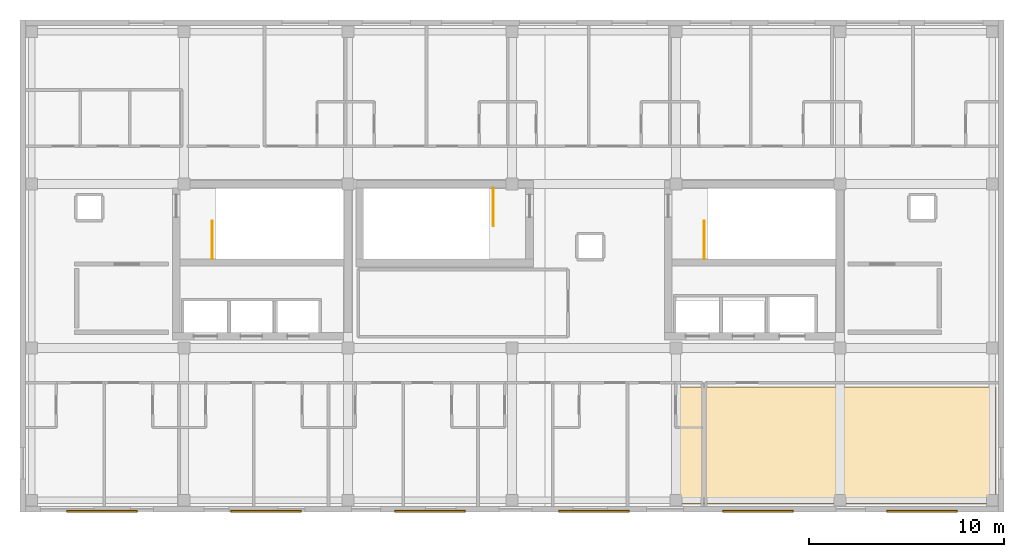
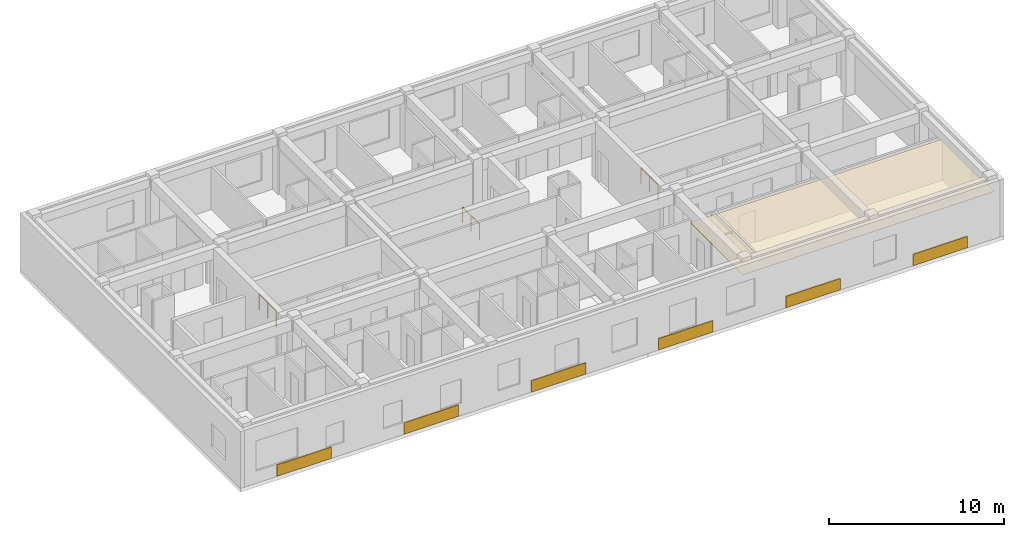
# One storey, part 7 of 7: 7 coverings, 3 railings.
"""IFC4 building model written with IfcOpenShell, lengths in metres."""

from ifc_helpers import new_model, si_unit, direction, frame, origin, origin_2d, place, context, subcontext, project, spatial, polyline, rectangle, circle, outline, extrude, material, layer, layer_set, type_object, element, save


model = new_model("IFC4")

# Units and contexts
model_context = context("Model", 3, precision=1e-05, world=origin(), true_north=direction((0.0, 1.0)))
body_context = subcontext(model_context, "Body", "Model", "MODEL_VIEW")
ifc_project = project(units=[si_unit("LENGTHUNIT", "METRE"), si_unit("AREAUNIT", "SQUARE_METRE"), si_unit("VOLUMEUNIT", "CUBIC_METRE"), si_unit("PLANEANGLEUNIT", "RADIAN"), si_unit("MASSUNIT", "GRAM", prefix="KILO")], contexts=[model_context])

# Site, building, storey
site_placement = place(None, origin())
site = spatial("IfcSite", under=ifc_project, at=site_placement, CompositionType="ELEMENT")
building_placement = place(site_placement, origin())
building = spatial("IfcBuilding", under=site, at=building_placement, Name="Zayran Congress Hotel", CompositionType="ELEMENT")
storey_placement = place(building_placement, frame((0.0, 0.0, 44.39990234375)))
storey = spatial("IfcBuildingStorey", under=building, at=storey_placement, Name="L11", CompositionType="ELEMENT", Elevation=44.39990234375)

# Coverings
ifc_material_1 = material(Name="Ochre geometric bas-relief Hajar Ma'ani stone", Category="masonry")
ifc_layer_1 = layer(ifc_material_1, 0.090087890625)
ifc_layer_set_1 = layer_set([ifc_layer_1], Name="Ochre geometric bas-relief Hajar Ma'ani stone")
covering_type_1 = type_object("IfcCoveringType", Name="TP-CLD-01", PredefinedType="CLADDING", material=ifc_layer_set_1)
for number, where, z_axis, x_axis, name in (
    (1, (21.0, 8.844970703125, 0.0), (0.0, 0.0, 1.0), (1.0, 0.0, 0.0), "CLD-V5S-L11-0"),
    (2, (29.39990234375, 8.844970703125, 0.0), (0.0, 0.0, 1.0), (1.0, 0.0, 0.0), "CLD-V5S-L11-1"),
    (3, (37.800048828125, 8.844970703125, 0.0), (0.0, 0.0, 1.0), (1.0, 0.0, 0.0), "CLD-V5S-L11-2"),
    (4, (46.199951171875, 8.844970703125, 0.0), (0.0, 0.0, 1.0), (1.0, 0.0, 0.0), "CLD-V5S-L11-3"),
    (5, (54.60009765625, 8.844970703125, 0.0), (0.0, 0.0, 1.0), (1.0, 0.0, 0.0), "CLD-V5S-L11-4"),
    (6, (63.0, 8.844970703125, 0.0), (0.0, 0.0, 1.0), (1.0, 0.0, 0.0), "CLD-V5S-L11-5"),
):
    element("IfcCovering", number, at=place(storey_placement, frame(where, z_axis=z_axis, x_axis=x_axis)), inside=storey, type_object=covering_type_1, Name=name, PredefinedType="CLADDING", context=body_context, shape_type="SweptSolid", body=[
        extrude(rectangle(XDim=3.60009765625, YDim=0.090087890625, at=origin_2d()), origin(), (0.0, 0.0, 1.0), 0.800048828125),
    ])

# Railings
ifc_material_2 = material(Name="Painted steel balustrade", Category="steel")
railing_type = type_object("IfcRailingType", Name="TP-GRD-INT", PredefinedType="GUARDRAIL", material=ifc_material_2)
for number, where, name in (
    (7, (26.64990234375, 21.760009765625, 0.0), "L11 ST-01 top well guard 1"),
    (8, (51.85009765625, 21.760009765625, 0.0), "L11 ST-02 top well guard 1"),
):
    element("IfcRailing", number, at=place(storey_placement, frame(where)), inside=storey, type_object=railing_type, Name=name, PredefinedType="GUARDRAIL", context=body_context, shape_type="SweptSolid", body=[
        extrude(circle(Radius=0.02392578125, at=origin_2d()), frame((0.0, 0.0, 1.076171875), z_axis=(0.0, 1.0, 0.0), x_axis=(-1.0, 0.0, 0.0)), (0.0, 0.0, 1.0), 1.93994140625),
        extrude(circle(Radius=0.02099609375, at=origin_2d()), origin(), (0.0, 0.0, 1.0), 1.052001953125),
        extrude(circle(Radius=0.02099609375, at=origin_2d()), frame((0.0, 0.969970703125, 0.0)), (0.0, 0.0, 1.0), 1.052001953125),
        extrude(circle(Radius=0.02099609375, at=origin_2d()), frame((0.0, 1.93994140625, 0.0)), (0.0, 0.0, 1.0), 1.052001953125),
    ])
railing_placement = place(storey_placement, frame((41.050048828125, 25.39990234375, 0.0)))
element("IfcRailing", 9, at=railing_placement, inside=storey, type_object=railing_type, Name="L11 ST-13 top well guard 1", PredefinedType="GUARDRAIL", context=body_context, shape_type="SweptSolid", body=[
    extrude(circle(Radius=0.02392578125, at=origin_2d()), frame((0.0, 0.0, 1.076171875), z_axis=(0.0, -1.0, 0.0), x_axis=(1.0, 0.0, 0.0)), (0.0, 0.0, 1.0), 1.93994140625),
    extrude(circle(Radius=0.02099609375, at=origin_2d()), origin(), (0.0, 0.0, 1.0), 1.052001953125),
    extrude(circle(Radius=0.02099609375, at=origin_2d()), frame((0.0, -0.969970703125, 0.0)), (0.0, 0.0, 1.0), 1.052001953125),
    extrude(circle(Radius=0.02099609375, at=origin_2d()), frame((0.0, -1.93994140625, 0.0)), (0.0, 0.0, 1.0), 1.052001953125),
])

# Covering
ifc_material_3 = material(Name="Perforated acoustic gypsum ceiling board", Category="gypsum")
ifc_layer_2 = layer(ifc_material_3, 0.044921875)
ifc_layer_set_2 = layer_set([ifc_layer_2], Name="Perforated acoustic gypsum ceiling board")
covering_type_2 = type_object("IfcCoveringType", Name="TP-CLG-AC1", PredefinedType="CEILING", material=ifc_layer_set_2)
covering_placement = place(storey_placement, frame((0.0, 0.0, 2.9501953125)))
element("IfcCovering", 10, at=covering_placement, inside=storey, type_object=covering_type_2, Name="Acoustic Suspended Ceiling L11-10", PredefinedType="CEILING", context=body_context, shape_type="SweptSolid", body=[
    extrude(outline(polyline([(50.199951171875, 9.199951171875), (66.800048828125, 9.199951171875), (66.800048828125, 15.199951171875), (50.199951171875, 15.199951171875), (50.199951171875, 9.199951171875)])), origin(), (0.0, 0.0, 1.0), 0.044921875),
])

save(model, "model.ifc")
